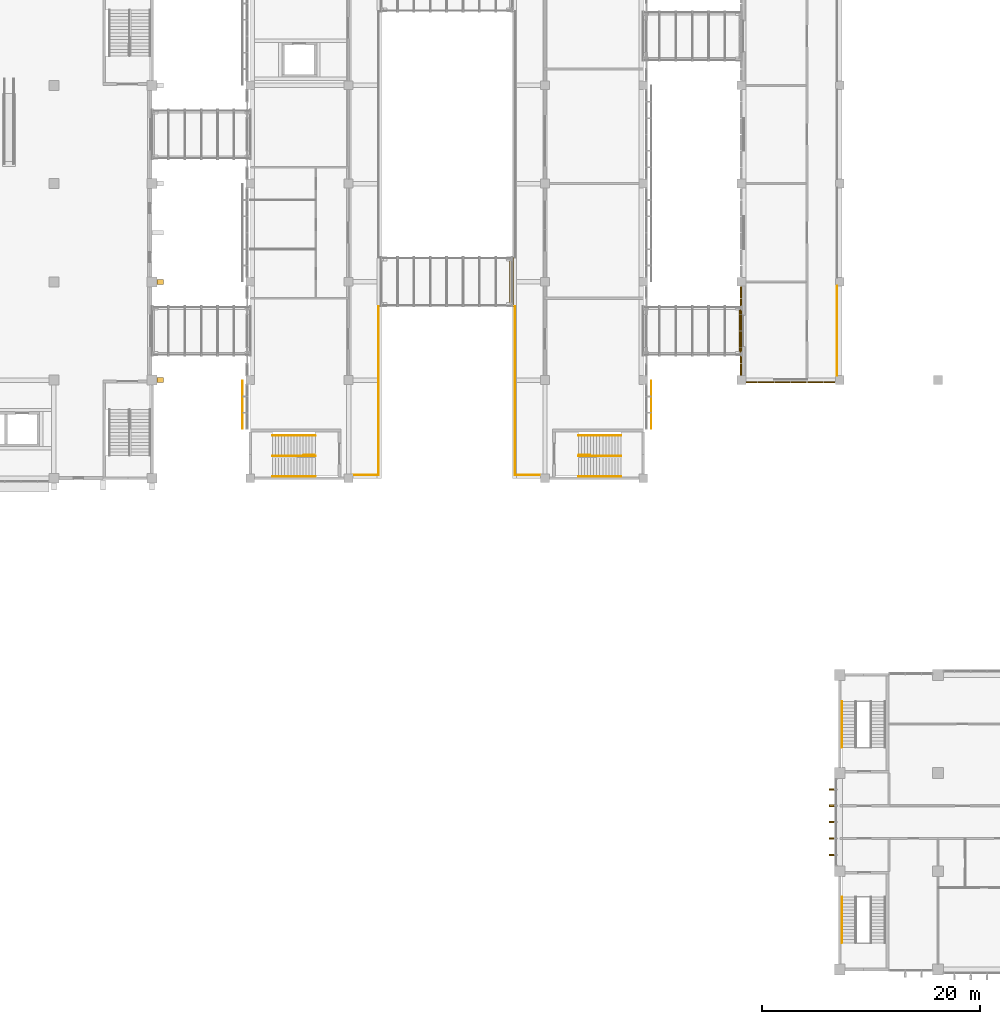
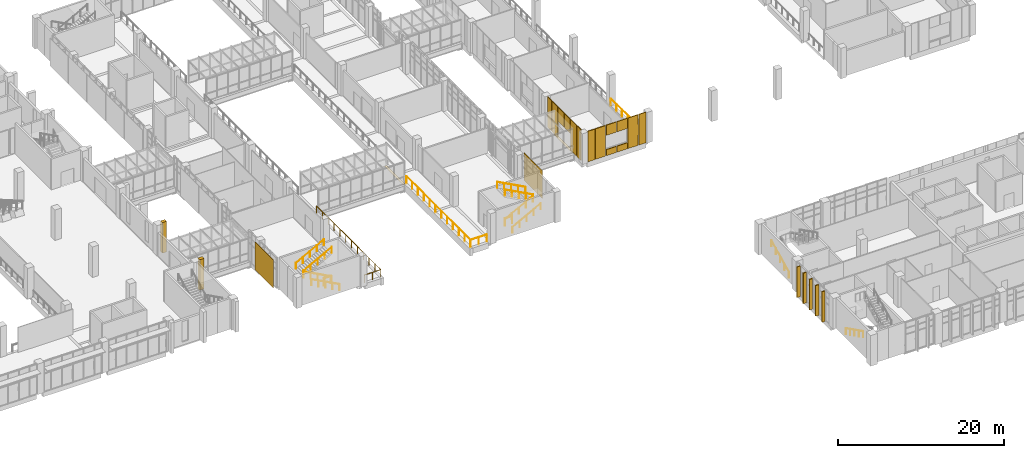
# One storey, part 80 of 88: 20 coverings, 15 railings, 5 shading devices.
"""IFC4 building model written with IfcOpenShell, lengths in metres."""

from ifc_helpers import new_model, si_unit, direction, frame, origin, origin_2d, place, context, subcontext, project, spatial, rectangle, circle, extrude, material, layer, layer_set, type_object, element, save


model = new_model("IFC4")

# Units and contexts
model_context = context("Model", 3, precision=1e-05, world=origin(), true_north=direction((0.0, 1.0)))
body_context = subcontext(model_context, "Body", "Model", "MODEL_VIEW")
ifc_project = project(units=[si_unit("LENGTHUNIT", "METRE"), si_unit("AREAUNIT", "SQUARE_METRE"), si_unit("VOLUMEUNIT", "CUBIC_METRE"), si_unit("PLANEANGLEUNIT", "RADIAN"), si_unit("MASSUNIT", "GRAM", prefix="KILO")], contexts=[model_context])

# Site, building, storey
site_placement = place(None, origin())
site = spatial("IfcSite", under=ifc_project, at=site_placement, CompositionType="ELEMENT")
building_placement = place(site_placement, origin())
building = spatial("IfcBuilding", under=site, at=building_placement, Name="Guidao Yard Department Store", CompositionType="ELEMENT")
storey_placement = place(building_placement, frame((0.0, 0.0, 6.0)))
storey = spatial("IfcBuildingStorey", under=building, at=storey_placement, Name="L01", CompositionType="ELEMENT", Elevation=6.0)

# Coverings
ifc_material_1 = material(Name="Stainless steel 316", Category="steel")
ifc_layer_1 = layer(ifc_material_1, 0.010009765625)
ifc_layer_set_1 = layer_set([ifc_layer_1], Name="Bridge joint cover JC1 stainless steel 10 x 335")
covering_type_1 = type_object("IfcCoveringType", Name="Bridge joint cover JC1 stainless steel 10 x 335", PredefinedType="FLOORING", material=ifc_layer_set_1)
for number, where, z_axis, x_axis, name in (
    (1, (116.9326171875, 58.5, 0.0), (0.0, 0.0, 1.0), (1.0, 0.0, 0.0), "Bridge joint cover plate BR06"),
    (2, (95.9326171875, 63.0, 0.0), (0.0, 0.0, 1.0), (1.0, 0.0, 0.0), "Bridge joint cover plate BR09"),
):
    element("IfcCovering", number, at=place(storey_placement, frame(where, z_axis=z_axis, x_axis=x_axis)), inside=storey, type_object=covering_type_1, Name=name, PredefinedType="FLOORING", context=body_context, shape_type="SweptSolid", body=[
        extrude(rectangle(XDim=0.3349609375, YDim=4.5, at=origin_2d()), origin(), (0.0, 0.0, 1.0), 0.010009765625),
    ])
ifc_material_2 = material(Name="Clinker brick", Category="masonry")
ifc_layer_2 = layer(ifc_material_2, 0.10009765625)
ifc_layer_set_2 = layer_set([ifc_layer_2], Name="Clinker brick panel BR1 on rainscreen")
covering_type_2 = type_object("IfcCoveringType", Name="Clinker brick panel BR1 on rainscreen", PredefinedType="CLADDING", material=ifc_layer_set_2)
covering_1_placement = place(storey_placement, frame((117.949951171875, 53.800048828125, 0.0), z_axis=(0.0, 0.0, 1.0), x_axis=(-1.0, 0.0, 0.0)))
element("IfcCovering", 3, at=covering_1_placement, inside=storey, type_object=covering_type_2, Name="Clinker brick panel", PredefinedType="CLADDING", context=body_context, shape_type="SweptSolid", body=[
    extrude(rectangle(XDim=1.0, YDim=0.10009765625, at=origin_2d()), origin(), (0.0, 0.0, 1.0), 4.5),
])
covering_2_placement = place(storey_placement, frame((119.25, 53.800048828125, 0.0), z_axis=(0.0, 0.0, 1.0), x_axis=(-1.0, 0.0, 0.0)))
element("IfcCovering", 4, at=covering_2_placement, inside=storey, type_object=covering_type_2, Name="Clinker brick panel", PredefinedType="CLADDING", context=body_context, shape_type="SweptSolid", body=[
    extrude(rectangle(XDim=1.39990234375, YDim=0.10009765625, at=origin_2d()), origin(), (0.0, 0.0, 1.0), 4.5),
])
covering_3_placement = place(storey_placement, frame((120.75, 53.800048828125, 0.0), z_axis=(0.0, 0.0, 1.0), x_axis=(-1.0, 0.0, 0.0)))
element("IfcCovering", 5, at=covering_3_placement, inside=storey, type_object=covering_type_2, Name="Clinker brick panel", PredefinedType="CLADDING", context=body_context, shape_type="SweptSolid", body=[
    extrude(rectangle(XDim=1.39990234375, YDim=0.10009765625, at=origin_2d()), origin(), (0.0, 0.0, 1.0), 0.89990234375),
])
covering_4_placement = place(storey_placement, frame((120.75, 53.800048828125, 3.0), z_axis=(0.0, 0.0, 1.0), x_axis=(-1.0, 0.0, 0.0)))
element("IfcCovering", 6, at=covering_4_placement, inside=storey, type_object=covering_type_2, Name="Clinker brick panel", PredefinedType="CLADDING", context=body_context, shape_type="SweptSolid", body=[
    extrude(rectangle(XDim=1.39990234375, YDim=0.10009765625, at=origin_2d()), origin(), (0.0, 0.0, 1.0), 1.5),
])
covering_5_placement = place(storey_placement, frame((122.25, 53.800048828125, 0.0), z_axis=(0.0, 0.0, 1.0), x_axis=(-1.0, 0.0, 0.0)))
element("IfcCovering", 7, at=covering_5_placement, inside=storey, type_object=covering_type_2, Name="Clinker brick panel", PredefinedType="CLADDING", context=body_context, shape_type="SweptSolid", body=[
    extrude(rectangle(XDim=1.39990234375, YDim=0.10009765625, at=origin_2d()), origin(), (0.0, 0.0, 1.0), 0.89990234375),
])
covering_6_placement = place(storey_placement, frame((122.25, 53.800048828125, 3.0), z_axis=(0.0, 0.0, 1.0), x_axis=(-1.0, 0.0, 0.0)))
element("IfcCovering", 8, at=covering_6_placement, inside=storey, type_object=covering_type_2, Name="Clinker brick panel", PredefinedType="CLADDING", context=body_context, shape_type="SweptSolid", body=[
    extrude(rectangle(XDim=1.39990234375, YDim=0.10009765625, at=origin_2d()), origin(), (0.0, 0.0, 1.0), 1.5),
])
covering_7_placement = place(storey_placement, frame((123.75, 53.800048828125, 0.0), z_axis=(0.0, 0.0, 1.0), x_axis=(-1.0, 0.0, 0.0)))
element("IfcCovering", 9, at=covering_7_placement, inside=storey, type_object=covering_type_2, Name="Clinker brick panel", PredefinedType="CLADDING", context=body_context, shape_type="SweptSolid", body=[
    extrude(rectangle(XDim=1.39990234375, YDim=0.10009765625, at=origin_2d()), origin(), (0.0, 0.0, 1.0), 4.5),
])
for number, where, z_axis, x_axis, name in (
    (10, (125.050048828125, 53.800048828125, 0.0), (0.0, 0.0, 1.0), (-1.0, 0.0, 0.0), "Clinker brick panel"),
    (11, (116.949951171875, 54.949951171875, 0.0), (0.0, 0.0, 1.0), (0.0, 1.0, 0.0), "Clinker brick panel"),
):
    element("IfcCovering", number, at=place(storey_placement, frame(where, z_axis=z_axis, x_axis=x_axis)), inside=storey, type_object=covering_type_2, Name=name, PredefinedType="CLADDING", context=body_context, shape_type="SweptSolid", body=[
        extrude(rectangle(XDim=1.0, YDim=0.10009765625, at=origin_2d()), origin(), (0.0, 0.0, 1.0), 4.5),
    ])
covering_8_placement = place(storey_placement, frame((116.949951171875, 56.25, 0.0), z_axis=(0.0, 0.0, 1.0), x_axis=(0.0, 1.0, 0.0)))
element("IfcCovering", 12, at=covering_8_placement, inside=storey, type_object=covering_type_2, Name="Clinker brick panel", PredefinedType="CLADDING", context=body_context, shape_type="SweptSolid", body=[
    extrude(rectangle(XDim=1.39990234375, YDim=0.10009765625, at=origin_2d()), origin(), (0.0, 0.0, 1.0), 4.5),
])
for number, where, z_axis, x_axis, name in (
    (13, (116.949951171875, 57.75, 2.39990234375), (0.0, 0.0, 1.0), (0.0, 1.0, 0.0), "Clinker brick panel"),
    (14, (116.949951171875, 59.25, 2.39990234375), (0.0, 0.0, 1.0), (0.0, 1.0, 0.0), "Clinker brick panel"),
):
    element("IfcCovering", number, at=place(storey_placement, frame(where, z_axis=z_axis, x_axis=x_axis)), inside=storey, type_object=covering_type_2, Name=name, PredefinedType="CLADDING", context=body_context, shape_type="SweptSolid", body=[
        extrude(rectangle(XDim=1.39990234375, YDim=0.10009765625, at=origin_2d()), origin(), (0.0, 0.0, 1.0), 2.10009765625),
    ])
covering_9_placement = place(storey_placement, frame((116.949951171875, 60.75, 0.0), z_axis=(0.0, 0.0, 1.0), x_axis=(0.0, 1.0, 0.0)))
element("IfcCovering", 15, at=covering_9_placement, inside=storey, type_object=covering_type_2, Name="Clinker brick panel", PredefinedType="CLADDING", context=body_context, shape_type="SweptSolid", body=[
    extrude(rectangle(XDim=1.39990234375, YDim=0.10009765625, at=origin_2d()), origin(), (0.0, 0.0, 1.0), 4.5),
])
covering_10_placement = place(storey_placement, frame((116.949951171875, 62.050048828125, 0.0), z_axis=(0.0, 0.0, 1.0), x_axis=(0.0, 1.0, 0.0)))
element("IfcCovering", 16, at=covering_10_placement, inside=storey, type_object=covering_type_2, Name="Clinker brick panel", PredefinedType="CLADDING", context=body_context, shape_type="SweptSolid", body=[
    extrude(rectangle(XDim=1.0, YDim=0.10009765625, at=origin_2d()), origin(), (0.0, 0.0, 1.0), 4.5),
])

# Railings
ifc_material_3 = material(Name="Steel Q235", Category="steel")
railing_type_1 = type_object("IfcRailingType", Name="Guard steel balustrade 1100", PredefinedType="GUARDRAIL", material=ifc_material_3)
railing_1_placement = place(storey_placement, frame((77.889892578125, 47.125, 0.0)))
element("IfcRailing", 17, at=railing_1_placement, inside=storey, type_object=railing_type_1, Name="Stair G1 guard L01 12", PredefinedType="GUARDRAIL", context=body_context, shape_type="SweptSolid", body=[
    extrude(circle(Radius=0.02392578125, at=origin_2d()), frame((0.0, 0.0, 1.076171875), z_axis=(-1.0, 0.0, 0.0), x_axis=(0.0, -1.0, 0.0)), (0.0, 0.0, 1.0), 1.0),
    extrude(circle(Radius=0.02099609375, at=origin_2d()), origin(), (0.0, 0.0, 1.0), 1.052001953125),
    extrude(circle(Radius=0.02099609375, at=origin_2d()), frame((-1.0, 0.0, 0.0)), (0.0, 0.0, 1.0), 1.052001953125),
])
railing_2_placement = place(storey_placement, frame((102.110107421875, 47.125, 0.0)))
element("IfcRailing", 18, at=railing_2_placement, inside=storey, type_object=railing_type_1, Name="Stair G3 guard L01 14", PredefinedType="GUARDRAIL", context=body_context, shape_type="SweptSolid", body=[
    extrude(circle(Radius=0.02392578125, at=origin_2d()), frame((0.0, 0.0, 1.076171875), z_axis=(1.0, 0.0, 0.0), x_axis=(0.0, 1.0, 0.0)), (0.0, 0.0, 1.0), 1.0),
    extrude(circle(Radius=0.02099609375, at=origin_2d()), origin(), (0.0, 0.0, 1.0), 1.052001953125),
    extrude(circle(Radius=0.02099609375, at=origin_2d()), frame((1.0, 0.0, 0.0)), (0.0, 0.0, 1.0), 1.052001953125),
])
railing_3_placement = place(storey_placement, frame((81.449951171875, 45.300048828125, 0.0)))
element("IfcRailing", 19, at=railing_3_placement, inside=storey, type_object=railing_type_1, Name="Guard gallery W1 L01", PredefinedType="GUARDRAIL", context=body_context, shape_type="SweptSolid", body=[
    extrude(circle(Radius=0.02392578125, at=origin_2d()), frame((0.0, 0.0, 1.076171875), z_axis=(1.0, 0.0, 0.0), x_axis=(0.0, 1.0, 0.0)), (0.0, 0.0, 1.0), 2.300048828125),
    extrude(circle(Radius=0.02392578125, at=origin_2d()), frame((2.300048828125, 0.0, 1.076171875), z_axis=(0.0, 1.0, 0.0), x_axis=(-1.0, 0.0, 0.0)), (0.0, 0.0, 1.0), 15.449951171875),
    extrude(circle(Radius=0.02099609375, at=origin_2d()), origin(), (0.0, 0.0, 1.0), 1.052001953125),
    extrude(circle(Radius=0.02099609375, at=origin_2d()), frame((1.14990234375, 0.0, 0.0)), (0.0, 0.0, 1.0), 1.052001953125),
    extrude(circle(Radius=0.02099609375, at=origin_2d()), frame((2.300048828125, 0.0, 0.0)), (0.0, 0.0, 1.0), 1.052001953125),
    extrude(circle(Radius=0.02099609375, at=origin_2d()), frame((2.300048828125, 1.404541015625, 0.0)), (0.0, 0.0, 1.0), 1.052001953125),
    extrude(circle(Radius=0.02099609375, at=origin_2d()), frame((2.300048828125, 2.80908203125, 0.0)), (0.0, 0.0, 1.0), 1.052001953125),
    extrude(circle(Radius=0.02099609375, at=origin_2d()), frame((2.300048828125, 4.213623046875, 0.0)), (0.0, 0.0, 1.0), 1.052001953125),
    extrude(circle(Radius=0.02099609375, at=origin_2d()), frame((2.300048828125, 5.6181640625, 0.0)), (0.0, 0.0, 1.0), 1.052001953125),
    extrude(circle(Radius=0.02099609375, at=origin_2d()), frame((2.300048828125, 7.022705078125, 0.0)), (0.0, 0.0, 1.0), 1.052001953125),
    extrude(circle(Radius=0.02099609375, at=origin_2d()), frame((2.300048828125, 8.42724609375, 0.0)), (0.0, 0.0, 1.0), 1.052001953125),
    extrude(circle(Radius=0.02099609375, at=origin_2d()), frame((2.300048828125, 9.831787109375, 0.0)), (0.0, 0.0, 1.0), 1.052001953125),
    extrude(circle(Radius=0.02099609375, at=origin_2d()), frame((2.300048828125, 11.236328125, 0.0)), (0.0, 0.0, 1.0), 1.052001953125),
    extrude(circle(Radius=0.02099609375, at=origin_2d()), frame((2.300048828125, 12.640869140625, 0.0)), (0.0, 0.0, 1.0), 1.052001953125),
    extrude(circle(Radius=0.02099609375, at=origin_2d()), frame((2.300048828125, 14.04541015625, 0.0)), (0.0, 0.0, 1.0), 1.052001953125),
    extrude(circle(Radius=0.02099609375, at=origin_2d()), frame((2.300048828125, 15.449951171875, 0.0)), (0.0, 0.0, 1.0), 1.052001953125),
])
railing_4_placement = place(storey_placement, frame((98.550048828125, 45.300048828125, 0.0)))
element("IfcRailing", 20, at=railing_4_placement, inside=storey, type_object=railing_type_1, Name="Guard gallery E1 L01", PredefinedType="GUARDRAIL", context=body_context, shape_type="SweptSolid", body=[
    extrude(circle(Radius=0.02392578125, at=origin_2d()), frame((0.0, 0.0, 1.076171875), z_axis=(-1.0, 0.0, 0.0), x_axis=(0.0, -1.0, 0.0)), (0.0, 0.0, 1.0), 2.300048828125),
    extrude(circle(Radius=0.02392578125, at=origin_2d()), frame((-2.300048828125, 0.0, 1.076171875), z_axis=(0.0, 1.0, 0.0), x_axis=(-1.0, 0.0, 0.0)), (0.0, 0.0, 1.0), 15.449951171875),
    extrude(circle(Radius=0.02099609375, at=origin_2d()), origin(), (0.0, 0.0, 1.0), 1.052001953125),
    extrude(circle(Radius=0.02099609375, at=origin_2d()), frame((-1.14990234375, 0.0, 0.0)), (0.0, 0.0, 1.0), 1.052001953125),
    extrude(circle(Radius=0.02099609375, at=origin_2d()), frame((-2.300048828125, 0.0, 0.0)), (0.0, 0.0, 1.0), 1.052001953125),
    extrude(circle(Radius=0.02099609375, at=origin_2d()), frame((-2.300048828125, 1.404541015625, 0.0)), (0.0, 0.0, 1.0), 1.052001953125),
    extrude(circle(Radius=0.02099609375, at=origin_2d()), frame((-2.300048828125, 2.80908203125, 0.0)), (0.0, 0.0, 1.0), 1.052001953125),
    extrude(circle(Radius=0.02099609375, at=origin_2d()), frame((-2.300048828125, 4.213623046875, 0.0)), (0.0, 0.0, 1.0), 1.052001953125),
    extrude(circle(Radius=0.02099609375, at=origin_2d()), frame((-2.300048828125, 5.6181640625, 0.0)), (0.0, 0.0, 1.0), 1.052001953125),
    extrude(circle(Radius=0.02099609375, at=origin_2d()), frame((-2.300048828125, 7.022705078125, 0.0)), (0.0, 0.0, 1.0), 1.052001953125),
    extrude(circle(Radius=0.02099609375, at=origin_2d()), frame((-2.300048828125, 8.42724609375, 0.0)), (0.0, 0.0, 1.0), 1.052001953125),
    extrude(circle(Radius=0.02099609375, at=origin_2d()), frame((-2.300048828125, 9.831787109375, 0.0)), (0.0, 0.0, 1.0), 1.052001953125),
    extrude(circle(Radius=0.02099609375, at=origin_2d()), frame((-2.300048828125, 11.236328125, 0.0)), (0.0, 0.0, 1.0), 1.052001953125),
    extrude(circle(Radius=0.02099609375, at=origin_2d()), frame((-2.300048828125, 12.640869140625, 0.0)), (0.0, 0.0, 1.0), 1.052001953125),
    extrude(circle(Radius=0.02099609375, at=origin_2d()), frame((-2.300048828125, 14.04541015625, 0.0)), (0.0, 0.0, 1.0), 1.052001953125),
    extrude(circle(Radius=0.02099609375, at=origin_2d()), frame((-2.300048828125, 15.449951171875, 0.0)), (0.0, 0.0, 1.0), 1.052001953125),
])
railing_5_placement = place(storey_placement, frame((125.75, 54.39990234375, 0.0)))
element("IfcRailing", 21, at=railing_5_placement, inside=storey, type_object=railing_type_1, Name="Guard hall W L01", PredefinedType="GUARDRAIL", context=body_context, shape_type="SweptSolid", body=[
    extrude(circle(Radius=0.02392578125, at=origin_2d()), frame((0.0, 0.0, 1.076171875), z_axis=(0.0, 1.0, 0.0), x_axis=(-1.0, 0.0, 0.0)), (0.0, 0.0, 1.0), 8.2001953125),
    extrude(circle(Radius=0.02099609375, at=origin_2d()), origin(), (0.0, 0.0, 1.0), 1.052001953125),
    extrude(circle(Radius=0.02099609375, at=origin_2d()), frame((0.0, 1.36669921875, 0.0)), (0.0, 0.0, 1.0), 1.052001953125),
    extrude(circle(Radius=0.02099609375, at=origin_2d()), frame((0.0, 2.7333984375, 0.0)), (0.0, 0.0, 1.0), 1.052001953125),
    extrude(circle(Radius=0.02099609375, at=origin_2d()), frame((0.0, 4.10009765625, 0.0)), (0.0, 0.0, 1.0), 1.052001953125),
    extrude(circle(Radius=0.02099609375, at=origin_2d()), frame((0.0, 5.466796875, 0.0)), (0.0, 0.0, 1.0), 1.052001953125),
    extrude(circle(Radius=0.02099609375, at=origin_2d()), frame((0.0, 6.83349609375, 0.0)), (0.0, 0.0, 1.0), 1.052001953125),
    extrude(circle(Radius=0.02099609375, at=origin_2d()), frame((0.0, 8.2001953125, 0.0)), (0.0, 0.0, 1.0), 1.052001953125),
])
ifc_material_4 = material(Name="Steel Q235", Category="steel")
railing_type_2 = type_object("IfcRailingType", Name="Handrail steel tube 48", PredefinedType="HANDRAIL", material=ifc_material_4)
for number, where, name in (
    (22, (77.949951171875, 45.18505859375, 0.14990234375), "Stair G1 hand rail L01 37"),
    (23, (77.949951171875, 47.050048828125, 0.14990234375), "Stair G1 hand rail L01 38"),
):
    element("IfcRailing", number, at=place(storey_placement, frame(where)), inside=storey, type_object=railing_type_2, Name=name, PredefinedType="HANDRAIL", context=body_context, shape_type="SweptSolid", body=[
        extrude(circle(Radius=0.02392578125, at=origin_2d()), frame((0.0, 0.0, 0.8759765625), z_axis=(-0.881466911329, 0.0, 0.472245787945), x_axis=(0.0, -1.0, 0.0)), (0.0, 0.0, 1.0), 4.447021484375),
        extrude(circle(Radius=0.02099609375, at=origin_2d()), origin(), (0.0, 0.0, 1.0), 0.851806640625),
        extrude(circle(Radius=0.02099609375, at=origin_2d()), frame((-0.97998046875, 0.0, 0.52490234375)), (0.0, 0.0, 1.0), 0.851806640625),
        extrude(circle(Radius=0.02099609375, at=origin_2d()), frame((-1.9599609375, 0.0, 1.050048828125)), (0.0, 0.0, 1.0), 0.851806640625),
        extrude(circle(Radius=0.02099609375, at=origin_2d()), frame((-2.93994140625, 0.0, 1.5751953125)), (0.0, 0.0, 1.0), 0.851806640625),
        extrude(circle(Radius=0.02099609375, at=origin_2d()), frame((-3.919921875, 0.0, 2.10009765625)), (0.0, 0.0, 1.0), 0.851806640625),
    ])
for number, where, name in (
    (24, (74.030029296875, 48.9150390625, 2.39990234375), "Stair G1 hand rail L01 39"),
    (25, (74.030029296875, 47.050048828125, 2.39990234375), "Stair G1 hand rail L01 40"),
    (26, (102.050048828125, 45.18505859375, 0.14990234375), "Stair G3 hand rail L01 45"),
    (27, (102.050048828125, 47.050048828125, 0.14990234375), "Stair G3 hand rail L01 46"),
):
    element("IfcRailing", number, at=place(storey_placement, frame(where)), inside=storey, type_object=railing_type_2, Name=name, PredefinedType="HANDRAIL", context=body_context, shape_type="SweptSolid", body=[
        extrude(circle(Radius=0.02392578125, at=origin_2d()), frame((0.0, 0.0, 0.8759765625), z_axis=(0.881466911329, 0.0, 0.472245787945), x_axis=(0.0, 1.0, 0.0)), (0.0, 0.0, 1.0), 4.447021484375),
        extrude(circle(Radius=0.02099609375, at=origin_2d()), origin(), (0.0, 0.0, 1.0), 0.851806640625),
        extrude(circle(Radius=0.02099609375, at=origin_2d()), frame((0.97998046875, 0.0, 0.52490234375)), (0.0, 0.0, 1.0), 0.851806640625),
        extrude(circle(Radius=0.02099609375, at=origin_2d()), frame((1.9599609375, 0.0, 1.050048828125)), (0.0, 0.0, 1.0), 0.851806640625),
        extrude(circle(Radius=0.02099609375, at=origin_2d()), frame((2.93994140625, 0.0, 1.5751953125)), (0.0, 0.0, 1.0), 0.851806640625),
        extrude(circle(Radius=0.02099609375, at=origin_2d()), frame((3.919921875, 0.0, 2.10009765625)), (0.0, 0.0, 1.0), 0.851806640625),
    ])
for number, where, name in (
    (28, (105.969970703125, 48.9150390625, 2.39990234375), "Stair G3 hand rail L01 47"),
    (29, (105.969970703125, 47.050048828125, 2.39990234375), "Stair G3 hand rail L01 48"),
):
    element("IfcRailing", number, at=place(storey_placement, frame(where)), inside=storey, type_object=railing_type_2, Name=name, PredefinedType="HANDRAIL", context=body_context, shape_type="SweptSolid", body=[
        extrude(circle(Radius=0.02392578125, at=origin_2d()), frame((0.0, 0.0, 0.8759765625), z_axis=(-0.881466911329, 0.0, 0.472245787945), x_axis=(0.0, -1.0, 0.0)), (0.0, 0.0, 1.0), 4.447021484375),
        extrude(circle(Radius=0.02099609375, at=origin_2d()), origin(), (0.0, 0.0, 1.0), 0.851806640625),
        extrude(circle(Radius=0.02099609375, at=origin_2d()), frame((-0.97998046875, 0.0, 0.52490234375)), (0.0, 0.0, 1.0), 0.851806640625),
        extrude(circle(Radius=0.02099609375, at=origin_2d()), frame((-1.9599609375, 0.0, 1.050048828125)), (0.0, 0.0, 1.0), 0.851806640625),
        extrude(circle(Radius=0.02099609375, at=origin_2d()), frame((-2.93994140625, 0.0, 1.5751953125)), (0.0, 0.0, 1.0), 0.851806640625),
        extrude(circle(Radius=0.02099609375, at=origin_2d()), frame((-3.919921875, 0.0, 2.10009765625)), (0.0, 0.0, 1.0), 0.851806640625),
    ])
railing_6_placement = place(storey_placement, frame((126.18505859375, 6.64990234375, 0.14990234375)))
element("IfcRailing", 30, at=railing_6_placement, inside=storey, type_object=railing_type_2, Name="Stair O1 hand rail L01 53", PredefinedType="HANDRAIL", context=body_context, shape_type="SweptSolid", body=[
    extrude(circle(Radius=0.02392578125, at=origin_2d()), frame((0.0, 0.0, 0.8759765625), z_axis=(0.0, -0.894416792377, 0.447234392142), x_axis=(1.0, 0.0, 0.0)), (0.0, 0.0, 1.0), 4.69580078125),
    extrude(circle(Radius=0.02099609375, at=origin_2d()), origin(), (0.0, 0.0, 1.0), 0.851806640625),
    extrude(circle(Radius=0.02099609375, at=origin_2d()), frame((0.0, -1.050048828125, 0.52490234375)), (0.0, 0.0, 1.0), 0.851806640625),
    extrude(circle(Radius=0.02099609375, at=origin_2d()), frame((0.0, -2.10009765625, 1.050048828125)), (0.0, 0.0, 1.0), 0.851806640625),
    extrude(circle(Radius=0.02099609375, at=origin_2d()), frame((0.0, -3.14990234375, 1.5751953125)), (0.0, 0.0, 1.0), 0.851806640625),
    extrude(circle(Radius=0.02099609375, at=origin_2d()), frame((0.0, -4.199951171875, 2.10009765625)), (0.0, 0.0, 1.0), 0.851806640625),
])
railing_7_placement = place(storey_placement, frame((126.18505859375, 20.35009765625, 0.14990234375)))
element("IfcRailing", 31, at=railing_7_placement, inside=storey, type_object=railing_type_2, Name="Stair O3 hand rail L01 61", PredefinedType="HANDRAIL", context=body_context, shape_type="SweptSolid", body=[
    extrude(circle(Radius=0.02392578125, at=origin_2d()), frame((0.0, 0.0, 0.8759765625), z_axis=(0.0, 0.894416792377, 0.447234392142), x_axis=(-1.0, 0.0, 0.0)), (0.0, 0.0, 1.0), 4.69580078125),
    extrude(circle(Radius=0.02099609375, at=origin_2d()), origin(), (0.0, 0.0, 1.0), 0.851806640625),
    extrude(circle(Radius=0.02099609375, at=origin_2d()), frame((0.0, 1.050048828125, 0.52490234375)), (0.0, 0.0, 1.0), 0.851806640625),
    extrude(circle(Radius=0.02099609375, at=origin_2d()), frame((0.0, 2.10009765625, 1.050048828125)), (0.0, 0.0, 1.0), 0.851806640625),
    extrude(circle(Radius=0.02099609375, at=origin_2d()), frame((0.0, 3.14990234375, 1.5751953125)), (0.0, 0.0, 1.0), 0.851806640625),
    extrude(circle(Radius=0.02099609375, at=origin_2d()), frame((0.0, 4.199951171875, 2.10009765625)), (0.0, 0.0, 1.0), 0.851806640625),
])

# Coverings
ifc_material_5 = material(Name="Galvanised steel Q235 perforated plate", Category="steel")
ifc_layer_3 = layer(ifc_material_5, 0.0400390625)
ifc_layer_set_3 = layer_set([ifc_layer_3], Name="Perforated screen PS1 galvanised steel")
covering_type_3 = type_object("IfcCoveringType", Name="Perforated screen PS1 galvanised steel", PredefinedType="CLADDING", material=ifc_layer_set_3)
for number, where, z_axis, x_axis, name in (
    (32, (71.27001953125, 51.75, 0.199951171875), (0.0, 0.0, 1.0), (0.0, 1.0, 0.0), "Perforated screen"),
    (33, (108.72998046875, 51.75, 0.199951171875), (0.0, 0.0, 1.0), (0.0, -1.0, 0.0), "Perforated screen"),
):
    element("IfcCovering", number, at=place(storey_placement, frame(where, z_axis=z_axis, x_axis=x_axis)), inside=storey, type_object=covering_type_3, Name=name, PredefinedType="CLADDING", context=body_context, shape_type="SweptSolid", body=[
        extrude(rectangle(XDim=4.39990234375, YDim=0.0400390625, at=origin_2d()), origin(), (0.0, 0.0, 1.0), 4.10009765625),
    ])
ifc_material_6 = material(Name="Precast concrete C40/50", Category="concrete")
ifc_layer_4 = layer(ifc_material_6, 0.449951171875)
ifc_layer_set_4 = layer_set([ifc_layer_4], Name="Precast fin FN1 board-formed concrete")
covering_type_4 = type_object("IfcCoveringType", Name="Precast fin FN1 board-formed concrete", PredefinedType="CLADDING", material=ifc_layer_set_4)
for number, where, z_axis, x_axis, name in (
    (34, (63.75, 54.0, 0.0), (0.0, 0.0, 1.0), (0.0, -1.0, 0.0), "Precast fin"),
    (35, (63.75, 63.0, 0.0), (0.0, 0.0, 1.0), (0.0, -1.0, 0.0), "Precast fin"),
):
    element("IfcCovering", number, at=place(storey_placement, frame(where, z_axis=z_axis, x_axis=x_axis)), inside=storey, type_object=covering_type_4, Name=name, PredefinedType="CLADDING", context=body_context, shape_type="SweptSolid", body=[
        extrude(rectangle(XDim=0.449951171875, YDim=0.60009765625, at=origin_2d()), origin(), (0.0, 0.0, 1.0), 4.5),
    ])

# Shading devices
ifc_material_7 = material(Name="Aluminium 6063-T5", Category="aluminium")
shading_device_type = type_object("IfcShadingDeviceType", Name="Vertical fin FN2 aluminium 150 x 450", PredefinedType="SHUTTER", material=ifc_material_7)
for number, where, z_axis, x_axis, name in (
    (36, (125.264892578125, 10.5, 0.0), (0.0, 0.0, 1.0), (0.0, 1.0, 0.0), "Vertical fin"),
    (37, (125.264892578125, 12.0, 0.0), (0.0, 0.0, 1.0), (0.0, 1.0, 0.0), "Vertical fin"),
    (38, (125.264892578125, 13.5, 0.0), (0.0, 0.0, 1.0), (0.0, 1.0, 0.0), "Vertical fin"),
    (39, (125.264892578125, 15.0, 0.0), (0.0, 0.0, 1.0), (0.0, 1.0, 0.0), "Vertical fin"),
    (40, (125.264892578125, 16.5, 0.0), (0.0, 0.0, 1.0), (0.0, 1.0, 0.0), "Vertical fin"),
):
    element("IfcShadingDevice", number, at=place(storey_placement, frame(where, z_axis=z_axis, x_axis=x_axis)), inside=storey, type_object=shading_device_type, Name=name, PredefinedType="SHUTTER", context=body_context, shape_type="SweptSolid", body=[
        extrude(rectangle(XDim=0.14990234375, YDim=0.449951171875, at=origin_2d()), origin(), (0.0, 0.0, 1.0), 4.5),
    ])

save(model, "model.ifc")
